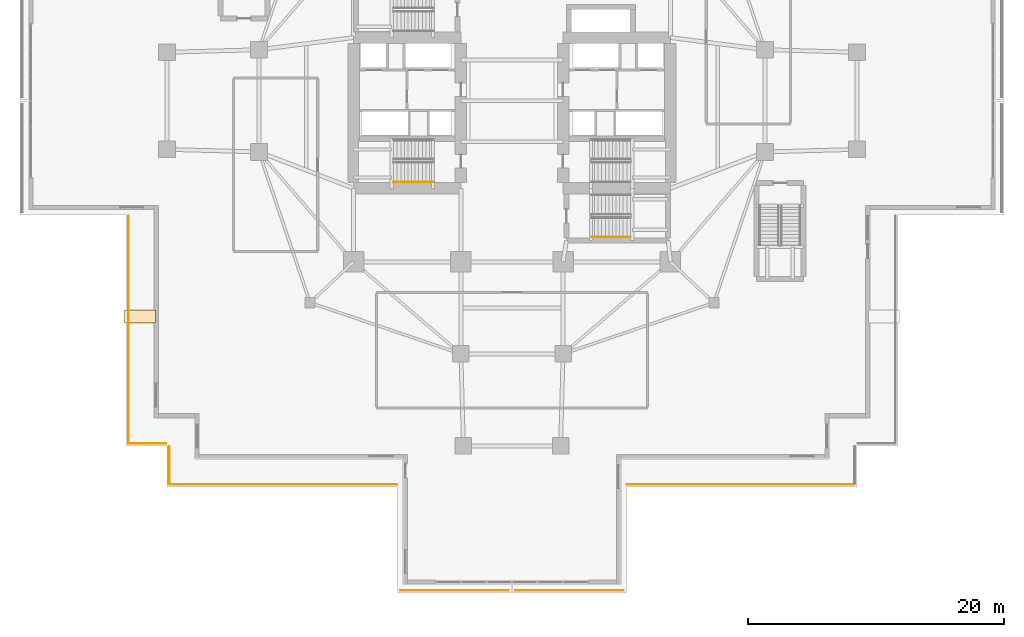
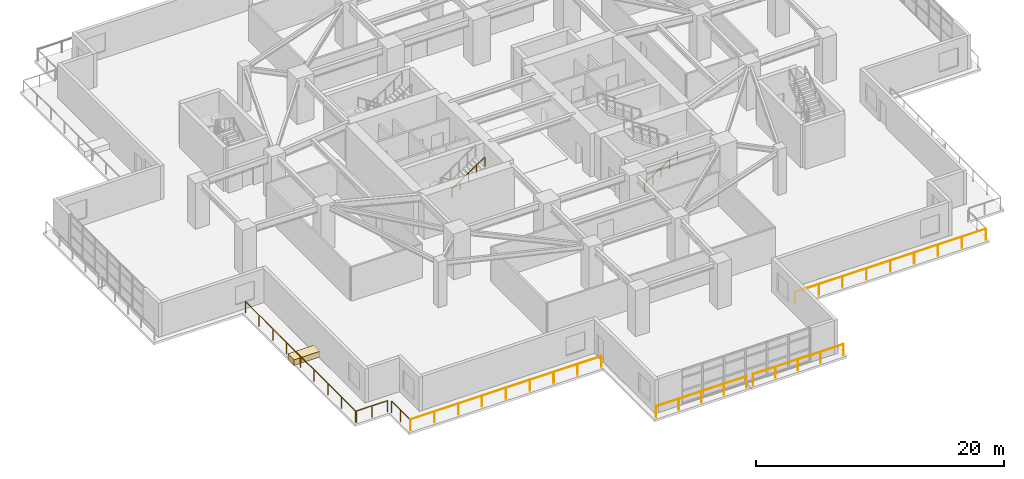
# One storey, part 17 of 23: 9 railings, 1 covering.
"""IFC4 building model written with IfcOpenShell, lengths in metres."""

from ifc_helpers import new_model, si_unit, direction, frame, origin, origin_2d, place, context, subcontext, project, spatial, rectangle, circle, extrude, material, layer, layer_set, type_object, element, save


model = new_model("IFC4")

# Units and contexts
model_context = context("Model", 3, precision=1e-05, world=origin(), true_north=direction((0.0, 1.0)))
body_context = subcontext(model_context, "Body", "Model", "MODEL_VIEW")
ifc_project = project(units=[si_unit("LENGTHUNIT", "METRE"), si_unit("AREAUNIT", "SQUARE_METRE"), si_unit("VOLUMEUNIT", "CUBIC_METRE"), si_unit("PLANEANGLEUNIT", "RADIAN"), si_unit("MASSUNIT", "GRAM", prefix="KILO")], contexts=[model_context])

# Site, building, storey
site_placement = place(None, origin())
site = spatial("IfcSite", under=ifc_project, at=site_placement, CompositionType="ELEMENT")
building_placement = place(site_placement, origin())
building = spatial("IfcBuilding", under=site, at=building_placement, Name="Qingluan Cross Belvedere", CompositionType="ELEMENT")
storey_placement = place(building_placement, frame((0.0, 0.0, 10.199951171875)))
storey = spatial("IfcBuildingStorey", under=building, at=storey_placement, Name="L03", CompositionType="ELEMENT", Elevation=10.199951171875)

# Railings
ifc_material_1 = material(Name="Brushed stainless steel tubular handrail", Category="steel")
railing_type_1 = type_object("IfcRailingType", Name="StairPitchHandrail_900", PredefinedType="HANDRAIL", material=ifc_material_1)
for number, where, name in (
    (1, (-9.260009765625, -6.35009765625, 2.4375), "L03 ST1 stair handrail 2"),
    (2, (6.179931640625, -10.669921875, 0.1875), "L03 ST4 stair handrail 1"),
):
    element("IfcRailing", number, at=place(storey_placement, frame(where)), inside=storey, type_object=railing_type_1, Name=name, PredefinedType="HANDRAIL", context=body_context, shape_type="SweptSolid", body=[
        extrude(circle(Radius=0.02392578125, at=origin_2d()), frame((0.0, 0.0, 0.8759765625), z_axis=(0.830913701846, 0.0, 0.55640131208), x_axis=(0.0, 1.0, 0.0)), (0.0, 0.0, 1.0), 3.706787109375),
        extrude(circle(Radius=0.02099609375, at=origin_2d()), origin(), (0.0, 0.0, 1.0), 0.851806640625),
        extrude(circle(Radius=0.02099609375, at=origin_2d()), frame((0.77001953125, 0.0, 0.515625)), (0.0, 0.0, 1.0), 0.851806640625),
        extrude(circle(Radius=0.02099609375, at=origin_2d()), frame((1.5400390625, 0.0, 1.03125)), (0.0, 0.0, 1.0), 0.851806640625),
        extrude(circle(Radius=0.02099609375, at=origin_2d()), frame((2.31005859375, 0.0, 1.546875)), (0.0, 0.0, 1.0), 0.851806640625),
        extrude(circle(Radius=0.02099609375, at=origin_2d()), frame((3.080078125, 0.0, 2.0625)), (0.0, 0.0, 1.0), 0.851806640625),
    ])
ifc_material_2 = material(Name="Laminated glass and stainless steel balustrade", Category="steel")
railing_type_2 = type_object("IfcRailingType", Name="TerraceGuardBalustrade_1150", PredefinedType="BALUSTRADE", material=ifc_material_2)
railing_1_placement = place(storey_placement, frame((-0.2900390625, -38.320068359375, 0.0)))
element("IfcRailing", 3, at=railing_1_placement, inside=storey, type_object=railing_type_2, Name="Terrace guard L03-1", PredefinedType="BALUSTRADE", context=body_context, shape_type="SweptSolid", body=[
    extrude(circle(Radius=0.02392578125, at=origin_2d()), frame((0.0, 0.0, 1.1259765625), z_axis=(-1.0, 0.0, 0.0), x_axis=(0.0, -1.0, 0.0)), (0.0, 0.0, 1.0), 8.419921875),
    extrude(circle(Radius=0.02099609375, at=origin_2d()), origin(), (0.0, 0.0, 1.0), 1.101806640625),
    extrude(circle(Radius=0.02099609375, at=origin_2d()), frame((-2.10498046875, 0.0, 0.0)), (0.0, 0.0, 1.0), 1.101806640625),
    extrude(circle(Radius=0.02099609375, at=origin_2d()), frame((-4.2099609375, 0.0, 0.0)), (0.0, 0.0, 1.0), 1.101806640625),
    extrude(circle(Radius=0.02099609375, at=origin_2d()), frame((-6.31494140625, 0.0, 0.0)), (0.0, 0.0, 1.0), 1.101806640625),
    extrude(circle(Radius=0.02099609375, at=origin_2d()), frame((-8.419921875, 0.0, 0.0)), (0.0, 0.0, 1.0), 1.101806640625),
])
railing_2_placement = place(storey_placement, frame((-9.010009765625, -30.02001953125, 0.0)))
element("IfcRailing", 4, at=railing_2_placement, inside=storey, type_object=railing_type_2, Name="Terrace guard L03-2", PredefinedType="BALUSTRADE", context=body_context, shape_type="SweptSolid", body=[
    extrude(circle(Radius=0.02392578125, at=origin_2d()), frame((0.0, 0.0, 1.1259765625), z_axis=(-1.0, 0.0, 0.0), x_axis=(0.0, -1.0, 0.0)), (0.0, 0.0, 1.0), 17.75),
    extrude(circle(Radius=0.02099609375, at=origin_2d()), origin(), (0.0, 0.0, 1.0), 1.101806640625),
    extrude(circle(Radius=0.02099609375, at=origin_2d()), frame((-2.21875, 0.0, 0.0)), (0.0, 0.0, 1.0), 1.101806640625),
    extrude(circle(Radius=0.02099609375, at=origin_2d()), frame((-4.4375, 0.0, 0.0)), (0.0, 0.0, 1.0), 1.101806640625),
    extrude(circle(Radius=0.02099609375, at=origin_2d()), frame((-6.65625, 0.0, 0.0)), (0.0, 0.0, 1.0), 1.101806640625),
    extrude(circle(Radius=0.02099609375, at=origin_2d()), frame((-8.875, 0.0, 0.0)), (0.0, 0.0, 1.0), 1.101806640625),
    extrude(circle(Radius=0.02099609375, at=origin_2d()), frame((-11.09375, 0.0, 0.0)), (0.0, 0.0, 1.0), 1.101806640625),
    extrude(circle(Radius=0.02099609375, at=origin_2d()), frame((-13.3125, 0.0, 0.0)), (0.0, 0.0, 1.0), 1.101806640625),
    extrude(circle(Radius=0.02099609375, at=origin_2d()), frame((-15.53125, 0.0, 0.0)), (0.0, 0.0, 1.0), 1.101806640625),
    extrude(circle(Radius=0.02099609375, at=origin_2d()), frame((-17.75, 0.0, 0.0)), (0.0, 0.0, 1.0), 1.101806640625),
])
railing_3_placement = place(storey_placement, frame((-26.820068359375, -29.9599609375, 0.0)))
element("IfcRailing", 5, at=railing_3_placement, inside=storey, type_object=railing_type_2, Name="Terrace guard L03-3", PredefinedType="BALUSTRADE", context=body_context, shape_type="SweptSolid", body=[
    extrude(circle(Radius=0.02392578125, at=origin_2d()), frame((0.0, 0.0, 1.1259765625), z_axis=(0.0, 1.0, 0.0), x_axis=(-1.0, 0.0, 0.0)), (0.0, 0.0, 1.0), 2.89990234375),
    extrude(circle(Radius=0.02099609375, at=origin_2d()), origin(), (0.0, 0.0, 1.0), 1.101806640625),
    extrude(circle(Radius=0.02099609375, at=origin_2d()), frame((0.0, 1.449951171875, 0.0)), (0.0, 0.0, 1.0), 1.101806640625),
    extrude(circle(Radius=0.02099609375, at=origin_2d()), frame((0.0, 2.89990234375, 0.0)), (0.0, 0.0, 1.0), 1.101806640625),
])
railing_4_placement = place(storey_placement, frame((-27.06005859375, -26.820068359375, 0.0)))
element("IfcRailing", 6, at=railing_4_placement, inside=storey, type_object=railing_type_2, Name="Terrace guard L03-4", PredefinedType="BALUSTRADE", context=body_context, shape_type="SweptSolid", body=[
    extrude(circle(Radius=0.02392578125, at=origin_2d()), frame((0.0, 0.0, 1.1259765625), z_axis=(-1.0, 0.0, 0.0), x_axis=(0.0, -1.0, 0.0)), (0.0, 0.0, 1.0), 2.89990234375),
    extrude(circle(Radius=0.02099609375, at=origin_2d()), origin(), (0.0, 0.0, 1.0), 1.101806640625),
    extrude(circle(Radius=0.02099609375, at=origin_2d()), frame((-1.449951171875, 0.0, 0.0)), (0.0, 0.0, 1.0), 1.101806640625),
    extrude(circle(Radius=0.02099609375, at=origin_2d()), frame((-2.89990234375, 0.0, 0.0)), (0.0, 0.0, 1.0), 1.101806640625),
])
railing_5_placement = place(storey_placement, frame((-30.02001953125, -26.760009765625, 0.0)))
element("IfcRailing", 7, at=railing_5_placement, inside=storey, type_object=railing_type_2, Name="Terrace guard L03-5", PredefinedType="BALUSTRADE", context=body_context, shape_type="SweptSolid", body=[
    extrude(circle(Radius=0.02392578125, at=origin_2d()), frame((0.0, 0.0, 1.1259765625), z_axis=(0.0, 1.0, 0.0), x_axis=(-1.0, 0.0, 0.0)), (0.0, 0.0, 1.0), 17.75),
    extrude(circle(Radius=0.02099609375, at=origin_2d()), origin(), (0.0, 0.0, 1.0), 1.101806640625),
    extrude(circle(Radius=0.02099609375, at=origin_2d()), frame((0.0, 2.21875, 0.0)), (0.0, 0.0, 1.0), 1.101806640625),
    extrude(circle(Radius=0.02099609375, at=origin_2d()), frame((0.0, 4.4375, 0.0)), (0.0, 0.0, 1.0), 1.101806640625),
    extrude(circle(Radius=0.02099609375, at=origin_2d()), frame((0.0, 6.65625, 0.0)), (0.0, 0.0, 1.0), 1.101806640625),
    extrude(circle(Radius=0.02099609375, at=origin_2d()), frame((0.0, 8.875, 0.0)), (0.0, 0.0, 1.0), 1.101806640625),
    extrude(circle(Radius=0.02099609375, at=origin_2d()), frame((0.0, 11.09375, 0.0)), (0.0, 0.0, 1.0), 1.101806640625),
    extrude(circle(Radius=0.02099609375, at=origin_2d()), frame((0.0, 13.3125, 0.0)), (0.0, 0.0, 1.0), 1.101806640625),
    extrude(circle(Radius=0.02099609375, at=origin_2d()), frame((0.0, 15.53125, 0.0)), (0.0, 0.0, 1.0), 1.101806640625),
    extrude(circle(Radius=0.02099609375, at=origin_2d()), frame((0.0, 17.75, 0.0)), (0.0, 0.0, 1.0), 1.101806640625),
])
railing_6_placement = place(storey_placement, frame((8.7099609375, -38.320068359375, 0.0)))
element("IfcRailing", 8, at=railing_6_placement, inside=storey, type_object=railing_type_2, Name="Terrace guard L03-1", PredefinedType="BALUSTRADE", context=body_context, shape_type="SweptSolid", body=[
    extrude(circle(Radius=0.02392578125, at=origin_2d()), frame((0.0, 0.0, 1.1259765625), z_axis=(-1.0, 0.0, 0.0), x_axis=(0.0, -1.0, 0.0)), (0.0, 0.0, 1.0), 8.419921875),
    extrude(circle(Radius=0.02099609375, at=origin_2d()), origin(), (0.0, 0.0, 1.0), 1.101806640625),
    extrude(circle(Radius=0.02099609375, at=origin_2d()), frame((-2.10498046875, 0.0, 0.0)), (0.0, 0.0, 1.0), 1.101806640625),
    extrude(circle(Radius=0.02099609375, at=origin_2d()), frame((-4.2099609375, 0.0, 0.0)), (0.0, 0.0, 1.0), 1.101806640625),
    extrude(circle(Radius=0.02099609375, at=origin_2d()), frame((-6.31494140625, 0.0, 0.0)), (0.0, 0.0, 1.0), 1.101806640625),
    extrude(circle(Radius=0.02099609375, at=origin_2d()), frame((-8.419921875, 0.0, 0.0)), (0.0, 0.0, 1.0), 1.101806640625),
])
railing_7_placement = place(storey_placement, frame((26.760009765625, -30.02001953125, 0.0)))
element("IfcRailing", 9, at=railing_7_placement, inside=storey, type_object=railing_type_2, Name="Terrace guard L03-6", PredefinedType="BALUSTRADE", context=body_context, shape_type="SweptSolid", body=[
    extrude(circle(Radius=0.02392578125, at=origin_2d()), frame((0.0, 0.0, 1.1259765625), z_axis=(-1.0, 0.0, 0.0), x_axis=(0.0, -1.0, 0.0)), (0.0, 0.0, 1.0), 17.75),
    extrude(circle(Radius=0.02099609375, at=origin_2d()), origin(), (0.0, 0.0, 1.0), 1.101806640625),
    extrude(circle(Radius=0.02099609375, at=origin_2d()), frame((-2.21875, 0.0, 0.0)), (0.0, 0.0, 1.0), 1.101806640625),
    extrude(circle(Radius=0.02099609375, at=origin_2d()), frame((-4.4375, 0.0, 0.0)), (0.0, 0.0, 1.0), 1.101806640625),
    extrude(circle(Radius=0.02099609375, at=origin_2d()), frame((-6.65625, 0.0, 0.0)), (0.0, 0.0, 1.0), 1.101806640625),
    extrude(circle(Radius=0.02099609375, at=origin_2d()), frame((-8.875, 0.0, 0.0)), (0.0, 0.0, 1.0), 1.101806640625),
    extrude(circle(Radius=0.02099609375, at=origin_2d()), frame((-11.09375, 0.0, 0.0)), (0.0, 0.0, 1.0), 1.101806640625),
    extrude(circle(Radius=0.02099609375, at=origin_2d()), frame((-13.3125, 0.0, 0.0)), (0.0, 0.0, 1.0), 1.101806640625),
    extrude(circle(Radius=0.02099609375, at=origin_2d()), frame((-15.53125, 0.0, 0.0)), (0.0, 0.0, 1.0), 1.101806640625),
    extrude(circle(Radius=0.02099609375, at=origin_2d()), frame((-17.75, 0.0, 0.0)), (0.0, 0.0, 1.0), 1.101806640625),
])

# Covering
ifc_material_3 = material(Name="Precast concrete C40", Category="concrete")
ifc_layer = layer(ifc_material_3, 0.550048828125, Name="TerracePlanterBox")
ifc_layer_set = layer_set([ifc_layer], Name="Precast concrete C40")
covering_type = type_object("IfcCoveringType", Name="TerracePlanterBox", PredefinedType="USERDEFINED", material=ifc_layer_set)
covering_placement = place(storey_placement, frame((-29.110107421875, -16.876953125, 0.0), z_axis=(0.0, 0.0, 1.0), x_axis=(1.0, 0.0, 0.0)))
element("IfcCovering", 10, at=covering_placement, inside=storey, type_object=covering_type, Name="Cascading garden terrace planter L03-3", ObjectType="PLANTER", PredefinedType="USERDEFINED", context=body_context, shape_type="SweptSolid", body=[
    extrude(rectangle(XDim=2.39990234375, YDim=1.0, at=origin_2d()), origin(), (0.0, 0.0, 1.0), 0.550048828125),
])

save(model, "model.ifc")
